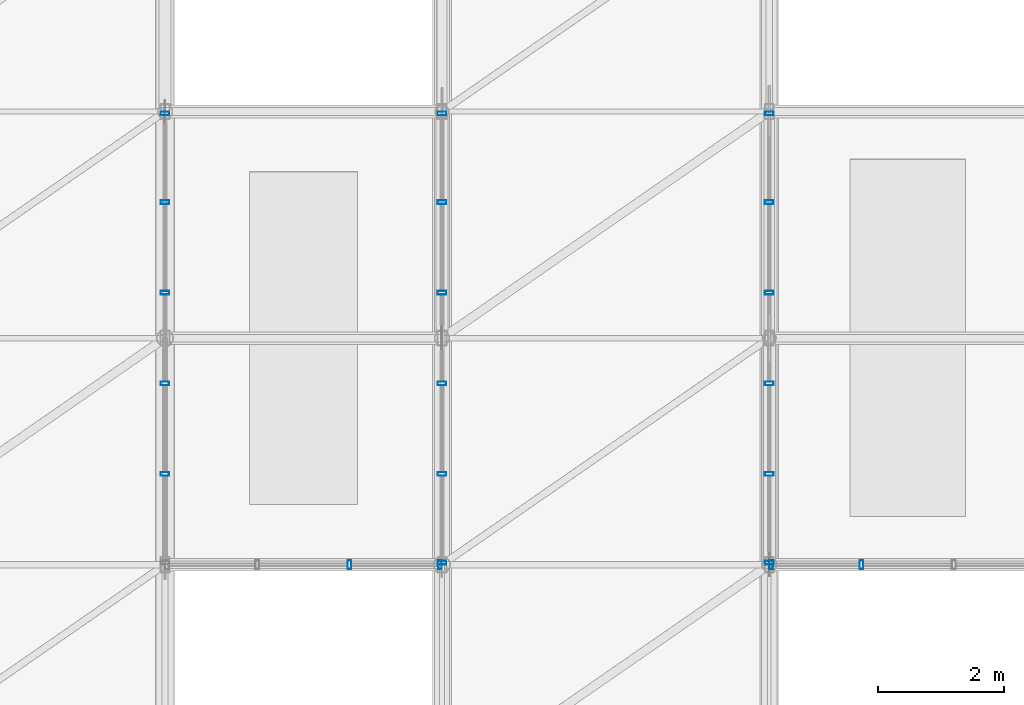
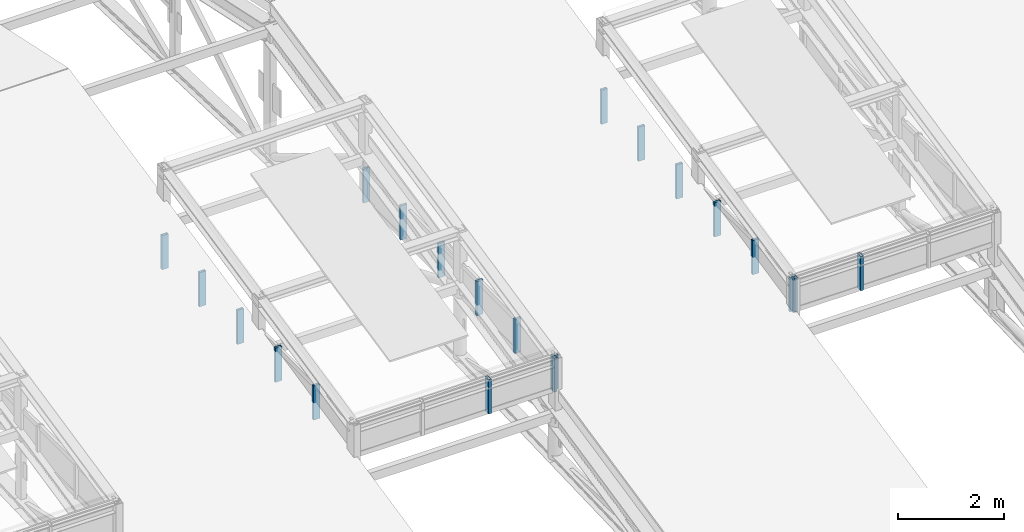
# One storey, part 72 of 124: 21 members, 5 elements without a shape of their own.
"""IFC4 building model written with IfcOpenShell, lengths in metres."""

import ifcopenshell
import ifcopenshell.guid

model = None  # the IFC model being written
_history = None  # IfcOwnerHistory: only IFC2X3 demands one
_inside = {}  # id of a spatial element -> (the spatial element, [elements in it])
_under = {}  # id of a project, library or spatial element -> (it, [spatial elements below it])
_declared = {}  # id of a project -> (the project, [libraries it declares])
_typed = {}  # id of a type object -> (the type object, [elements of that type])
_made_of = {}  # id of a material, layer set ... -> (it, [elements and type objects made of it])


def new_model(schema):
    """Start an empty IFC model of exactly this schema.

    Asked for "IFC4X3", IfcOpenShell would pick the latest addendum, in which some entities
    have other attributes; the version numbers below select the first issue.
    IFC2X3 requires an IfcOwnerHistory on every rooted entity: one is made here for all.
    """
    global model, _history
    if schema == "IFC4X3":
        model = ifcopenshell.file(schema_version=(4, 3, 0, 0))
    else:
        model = ifcopenshell.file(schema=schema)
    _inside.clear()
    _under.clear()
    _declared.clear()
    _typed.clear()
    _made_of.clear()
    _history = None
    if model.schema == "IFC2X3":
        org = make("IfcOrganization", Name="unknown")
        user = make(
            "IfcPersonAndOrganization",
            ThePerson=make("IfcPerson", FamilyName="unknown"),
            TheOrganization=org,
        )
        app = make(
            "IfcApplication",
            ApplicationDeveloper=org,
            Version="unknown",
            ApplicationFullName="unknown",
            ApplicationIdentifier="unknown",
        )
        _history = make(
            "IfcOwnerHistory",
            OwningUser=user,
            OwningApplication=app,
            ChangeAction="ADDED",
            CreationDate=0,
        )
    return model


def make(cls, **values):
    """One entity of the class cls with the attributes given. An attribute that is None is left unset."""
    return model.create_entity(
        cls, **{name: value for name, value in values.items() if value is not None}
    )


def rooted(cls, **values):
    """An entity with a GlobalId (a new one), such as an element, a storey or a relation."""
    return make(cls, GlobalId=ifcopenshell.guid.new(), OwnerHistory=_history, **values)


def si_unit(unit_type, name, prefix=None):
    """IfcSIUnit, for example si_unit("LENGTHUNIT", "METRE", prefix="MILLI")."""
    return make("IfcSIUnit", UnitType=unit_type, Prefix=prefix, Name=name)


def assignment(units):
    """IfcUnitAssignment: the units of a project."""
    return None if units is None else make("IfcUnitAssignment", Units=units)


def point(xyz):
    """IfcCartesianPoint."""
    return None if xyz is None else make("IfcCartesianPoint", Coordinates=xyz)


def direction(xyz):
    """IfcDirection."""
    return None if xyz is None else make("IfcDirection", DirectionRatios=xyz)


def frame(location, z_axis=None, x_axis=None):
    """IfcAxis2Placement3D, a coordinate frame: its origin and axes. An axis left out is left unset."""
    return make(
        "IfcAxis2Placement3D",
        Location=point(location),
        Axis=direction(z_axis),
        RefDirection=direction(x_axis),
    )


def frame_2d(location, x_axis=None):
    """IfcAxis2Placement2D, a coordinate frame in the plane: its origin and x axis."""
    return make(
        "IfcAxis2Placement2D", Location=point(location), RefDirection=direction(x_axis)
    )


def origin():
    """The frame at (0, 0, 0) with its axes left unset."""
    return frame((0.0, 0.0, 0.0))


def origin_2d():
    """The frame at (0, 0) in the plane with its x axis left unset."""
    return frame_2d((0.0, 0.0))


def place(relative_to, where):
    """IfcLocalPlacement: puts the frame where relative to a parent placement (None: the world)."""
    return make(
        "IfcLocalPlacement", PlacementRelTo=relative_to, RelativePlacement=where
    )


def context(
    kind, dimensions, precision=None, world=None, true_north=None, identifier=None
):
    """IfcGeometricRepresentationContext, for example the 3D "Model" context."""
    return make(
        "IfcGeometricRepresentationContext",
        ContextIdentifier=identifier,
        ContextType=kind,
        CoordinateSpaceDimension=dimensions,
        Precision=precision,
        WorldCoordinateSystem=world,
        TrueNorth=true_north,
    )


def subcontext(parent, identifier, kind, view, scale=None):
    """IfcGeometricRepresentationSubContext, for example "Body" below "Model"."""
    return make(
        "IfcGeometricRepresentationSubContext",
        ContextIdentifier=identifier,
        ContextType=kind,
        ParentContext=parent,
        TargetScale=scale,
        TargetView=view,
    )


def project(units=None, contexts=None):
    """IfcProject with its units and contexts."""
    return rooted(
        "IfcProject",
        Name="project",
        RepresentationContexts=contexts,
        UnitsInContext=assignment(units),
    )


def spatial(cls, under=None, at=None, **own):
    """A site, building, storey or space (cls), placed at a placement, below another one or the project."""
    s = rooted(cls, ObjectPlacement=at, **own)
    if under is not None:
        _under.setdefault(under.id(), (under, []))[1].append(s)
    return s


def profile(cls, at=None, kind="AREA", **sizes):
    """A parametric profile (cls). Its sizes go by their IFC names, for example OverallWidth=200.0."""
    return make(cls, ProfileType=kind, Position=at, **sizes)


def hollow_rectangle(**sizes):
    """IfcRectangleHollowProfileDef."""
    return profile("IfcRectangleHollowProfileDef", **sizes)


def extrude(swept, where, along, depth):
    """IfcExtrudedAreaSolid: the profile swept, set in the frame where, extruded along a direction by depth."""
    return make(
        "IfcExtrudedAreaSolid",
        SweptArea=swept,
        Position=where,
        ExtrudedDirection=direction(along),
        Depth=depth,
    )


def shape(context_of_items, identifier, shape_type, items):
    """IfcShapeRepresentation: the items that make up one representation, for example the "Body"."""
    return make(
        "IfcShapeRepresentation",
        ContextOfItems=context_of_items,
        RepresentationIdentifier=identifier,
        RepresentationType=shape_type,
        Items=items,
    )


def material(Name=None, Category=None):
    """IfcMaterial."""
    return make("IfcMaterial", Name=Name, Category=Category)


def layer(
    of_material, thickness, ventilated=None, Name=None, Category=None, Priority=None
):
    """IfcMaterialLayer: one layer of a wall or slab, of a material (None: an air gap)."""
    return make(
        "IfcMaterialLayer",
        Material=of_material,
        LayerThickness=thickness,
        IsVentilated=ventilated,
        Name=Name,
        Category=Category,
        Priority=Priority,
    )


def layer_set(layers, Name=None):
    """IfcMaterialLayerSet."""
    return make("IfcMaterialLayerSet", MaterialLayers=layers, LayerSetName=Name)


def material_profile(
    of_material, cross_section, Name=None, Category=None, Priority=None
):
    """IfcMaterialProfile: a cross section and its material."""
    return make(
        "IfcMaterialProfile",
        Name=Name,
        Material=of_material,
        Profile=cross_section,
        Priority=Priority,
        Category=Category,
    )


def profile_set(profiles, Name=None, composite=None):
    """IfcMaterialProfileSet."""
    return make(
        "IfcMaterialProfileSet",
        Name=Name,
        MaterialProfiles=profiles,
        CompositeProfile=composite,
    )


def made_of(thing, what):
    """Note that an element or type object is made of a material, layer set ...; save() writes the relation."""
    if what is not None:
        _made_of.setdefault(what.id(), (what, []))[1].append(thing)
    return thing


def type_object(cls, material=None, **own):
    """A type object (cls), such as IfcWallType, which elements share."""
    return made_of(rooted(cls, **own), material)


def element(
    cls,
    number,
    at=None,
    inside=None,
    cuts=None,
    type_object=None,
    material=None,
    context=None,
    identifier="Body",
    shape_type=None,
    held_by="IfcProductDefinitionShape",
    body=None,
    shapes=None,
    **own,
):
    """One element of the class cls, such as IfcWall. Its Tag is "e" and its number.

    at: its placement. inside: the storey or other place that contains it. cuts: it is an
    opening in that element (IfcRelVoidsElement). A single representation is given by context,
    identifier, shape_type and body (its items); several are given by shapes. held_by: the class
    of the entity that holds the representations. save() writes the other relations.
    """
    e = rooted(cls, Tag="e%d" % number, ObjectPlacement=at, **own)
    if body is not None:
        shapes = [shape(context, identifier, shape_type, body)]
    if shapes is not None:
        e.Representation = make(held_by, Representations=shapes)
    if inside is not None:
        _inside.setdefault(inside.id(), (inside, []))[1].append(e)
    if cuts is not None:
        rooted(
            "IfcRelVoidsElement", RelatingBuildingElement=cuts, RelatedOpeningElement=e
        )
    if type_object is not None:
        _typed.setdefault(type_object.id(), (type_object, []))[1].append(e)
    return made_of(e, material)


def aggregate(whole, parts):
    """IfcRelAggregates: a whole, such as a stair, and the parts it consists of."""
    return rooted("IfcRelAggregates", RelatingObject=whole, RelatedObjects=parts)


def save(model, path):
    """Write the relations noted so far, then the file.

    IfcRelAggregates (storeys below a building ...), IfcRelContainedInSpatialStructure (elements
    in a storey), IfcRelDefinesByType, IfcRelAssociatesMaterial and IfcRelDeclares: one each for
    every whole, place, type object, material and project.
    """
    for whole, parts in _under.values():
        aggregate(whole, parts)
    for where, things in _inside.values():
        rooted(
            "IfcRelContainedInSpatialStructure",
            RelatedElements=things,
            RelatingStructure=where,
        )
    for kind, things in _typed.values():
        rooted("IfcRelDefinesByType", RelatedObjects=things, RelatingType=kind)
    for what, things in _made_of.values():
        rooted("IfcRelAssociatesMaterial", RelatedObjects=things, RelatingMaterial=what)
    for by, libraries in _declared.values():
        rooted("IfcRelDeclares", RelatingContext=by, RelatedDefinitions=libraries)
    model.write(path)


model = new_model("IFC4")

# Units and contexts
model_context = context("Model", 3, precision=1e-05, world=origin(), true_north=direction((0.0, 1.0)))
body_context = subcontext(model_context, "Body", "Model", "MODEL_VIEW")
ifc_project = project(units=[si_unit("LENGTHUNIT", "METRE"), si_unit("AREAUNIT", "SQUARE_METRE"), si_unit("VOLUMEUNIT", "CUBIC_METRE"), si_unit("PLANEANGLEUNIT", "RADIAN"), si_unit("MASSUNIT", "GRAM", prefix="KILO"), si_unit("THERMODYNAMICTEMPERATUREUNIT", "KELVIN"), si_unit("POWERUNIT", "WATT")], contexts=[model_context])

# Site, building, storey
site_placement = place(None, origin())
site = spatial("IfcSite", under=ifc_project, at=site_placement, CompositionType="ELEMENT")
building_placement = place(site_placement, origin())
building = spatial("IfcBuilding", under=site, at=building_placement, Name="Tavuni Mirador Residences", CompositionType="ELEMENT")
storey_placement = place(building_placement, frame((0.0, 0.0, 7.64990234375)))
storey = spatial("IfcBuildingStorey", under=building, at=storey_placement, Name="L02", CompositionType="ELEMENT", Elevation=7.64990234375)

# Curtain wall, members
ifc_material = material(Name="Anodised aluminium", Category="aluminium")
ifc_layer = layer(ifc_material, 0.199951171875, Name="Anodised aluminium", Category="aluminium")
ifc_layer_set = layer_set([ifc_layer], Name="Anodised aluminium")
curtain_wall_type = type_object("IfcCurtainWallType", Name="CWT-HAL-01", PredefinedType="NOTDEFINED", material=ifc_layer_set)
curtain_wall_1_placement = place(storey_placement, origin())
curtain_wall_1 = element("IfcCurtainWall", 1, at=curtain_wall_1_placement, inside=storey, type_object=curtain_wall_type, Name="CW-HALL-MON-S2-W", PredefinedType="NOTDEFINED")
ifc_material_profile = material_profile(ifc_material, hollow_rectangle(XDim=0.06005859375, YDim=0.139892578125, WallThickness=0.00390625, at=origin_2d()), Name="ALU 60x140x4.0", Category="aluminium")
ifc_profile_set = profile_set([ifc_material_profile], Name="Anodised aluminium")
member_type = type_object("IfcMemberType", Name="CWM-140", PredefinedType="MULLION", material=ifc_profile_set)
member_1_placement = place(storey_placement, frame((54.39990234375, 77.0400390625, 1.175048828125), z_axis=(0.0, 0.0, 1.0), x_axis=(0.0, 1.0, 0.0)))
member_1 = element("IfcMember", 2, at=member_1_placement, type_object=member_type, Name="CW-06 mullion 2", PredefinedType="MULLION", context=body_context, shape_type="SweptSolid", body=[
    extrude(hollow_rectangle(XDim=0.06005859375, YDim=0.139892578125, WallThickness=0.00390625, at=origin_2d()), origin(), (0.0, 0.0, 1.0), 0.7900390625),
])
member_2_placement = place(storey_placement, frame((54.39990234375, 78.47998046875, 1.175048828125), z_axis=(0.0, 0.0, 1.0), x_axis=(0.0, 1.0, 0.0)))
member_2 = element("IfcMember", 3, at=member_2_placement, type_object=member_type, Name="CW-06 mullion 3", PredefinedType="MULLION", context=body_context, shape_type="SweptSolid", body=[
    extrude(hollow_rectangle(XDim=0.06005859375, YDim=0.139892578125, WallThickness=0.00390625, at=origin_2d()), origin(), (0.0, 0.0, 1.0), 0.7900390625),
])
member_3_placement = place(storey_placement, frame((54.39990234375, 79.919921875, 1.175048828125), z_axis=(0.0, 0.0, 1.0), x_axis=(0.0, 1.0, 0.0)))
member_3 = element("IfcMember", 4, at=member_3_placement, type_object=member_type, Name="CW-06 mullion 4", PredefinedType="MULLION", context=body_context, shape_type="SweptSolid", body=[
    extrude(hollow_rectangle(XDim=0.06005859375, YDim=0.139892578125, WallThickness=0.00390625, at=origin_2d()), origin(), (0.0, 0.0, 1.0), 0.7900390625),
])
member_4_placement = place(storey_placement, frame((54.39990234375, 81.360107421875, 1.175048828125), z_axis=(0.0, 0.0, 1.0), x_axis=(0.0, 1.0, 0.0)))
member_4 = element("IfcMember", 5, at=member_4_placement, type_object=member_type, Name="CW-06 mullion 5", PredefinedType="MULLION", context=body_context, shape_type="SweptSolid", body=[
    extrude(hollow_rectangle(XDim=0.06005859375, YDim=0.139892578125, WallThickness=0.00390625, at=origin_2d()), origin(), (0.0, 0.0, 1.0), 0.7900390625),
])
member_5_placement = place(storey_placement, frame((54.39990234375, 82.77001953125, 1.175048828125), z_axis=(0.0, 0.0, 1.0), x_axis=(0.0, 1.0, 0.0)))
member_5 = element("IfcMember", 6, at=member_5_placement, type_object=member_type, Name="CW-06 mullion 6", PredefinedType="MULLION", context=body_context, shape_type="SweptSolid", body=[
    extrude(hollow_rectangle(XDim=0.06005859375, YDim=0.139892578125, WallThickness=0.00390625, at=origin_2d()), origin(), (0.0, 0.0, 1.0), 0.7900390625),
])
aggregate(curtain_wall_1, [member_1, member_2, member_3, member_4, member_5])

curtain_wall_2_placement = place(storey_placement, origin())
curtain_wall_2 = element("IfcCurtainWall", 7, at=curtain_wall_2_placement, inside=storey, type_object=curtain_wall_type, Name="CW-HALL-MON-S2-E", PredefinedType="NOTDEFINED")
member_6_placement = place(storey_placement, frame((58.800048828125, 75.6298828125, 1.175048828125), z_axis=(0.0, 0.0, 1.0), x_axis=(0.0, 1.0, 0.0)))
member_6 = element("IfcMember", 8, at=member_6_placement, type_object=member_type, Name="CW-06 mullion 1", PredefinedType="MULLION", context=body_context, shape_type="SweptSolid", body=[
    extrude(hollow_rectangle(XDim=0.06005859375, YDim=0.139892578125, WallThickness=0.00390625, at=origin_2d()), origin(), (0.0, 0.0, 1.0), 0.7900390625),
])
member_7_placement = place(storey_placement, frame((58.800048828125, 77.0400390625, 1.175048828125), z_axis=(0.0, 0.0, 1.0), x_axis=(0.0, 1.0, 0.0)))
member_7 = element("IfcMember", 9, at=member_7_placement, type_object=member_type, Name="CW-06 mullion 2", PredefinedType="MULLION", context=body_context, shape_type="SweptSolid", body=[
    extrude(hollow_rectangle(XDim=0.06005859375, YDim=0.139892578125, WallThickness=0.00390625, at=origin_2d()), origin(), (0.0, 0.0, 1.0), 0.7900390625),
])
member_8_placement = place(storey_placement, frame((58.800048828125, 78.47998046875, 1.175048828125), z_axis=(0.0, 0.0, 1.0), x_axis=(0.0, 1.0, 0.0)))
member_8 = element("IfcMember", 10, at=member_8_placement, type_object=member_type, Name="CW-06 mullion 3", PredefinedType="MULLION", context=body_context, shape_type="SweptSolid", body=[
    extrude(hollow_rectangle(XDim=0.06005859375, YDim=0.139892578125, WallThickness=0.00390625, at=origin_2d()), origin(), (0.0, 0.0, 1.0), 0.7900390625),
])
member_9_placement = place(storey_placement, frame((58.800048828125, 79.919921875, 1.175048828125), z_axis=(0.0, 0.0, 1.0), x_axis=(0.0, 1.0, 0.0)))
member_9 = element("IfcMember", 11, at=member_9_placement, type_object=member_type, Name="CW-06 mullion 4", PredefinedType="MULLION", context=body_context, shape_type="SweptSolid", body=[
    extrude(hollow_rectangle(XDim=0.06005859375, YDim=0.139892578125, WallThickness=0.00390625, at=origin_2d()), origin(), (0.0, 0.0, 1.0), 0.7900390625),
])
member_10_placement = place(storey_placement, frame((58.800048828125, 81.360107421875, 1.175048828125), z_axis=(0.0, 0.0, 1.0), x_axis=(0.0, 1.0, 0.0)))
member_10 = element("IfcMember", 12, at=member_10_placement, type_object=member_type, Name="CW-06 mullion 5", PredefinedType="MULLION", context=body_context, shape_type="SweptSolid", body=[
    extrude(hollow_rectangle(XDim=0.06005859375, YDim=0.139892578125, WallThickness=0.00390625, at=origin_2d()), origin(), (0.0, 0.0, 1.0), 0.7900390625),
])
member_11_placement = place(storey_placement, frame((58.800048828125, 82.77001953125, 1.175048828125), z_axis=(0.0, 0.0, 1.0), x_axis=(0.0, 1.0, 0.0)))
member_11 = element("IfcMember", 13, at=member_11_placement, type_object=member_type, Name="CW-06 mullion 6", PredefinedType="MULLION", context=body_context, shape_type="SweptSolid", body=[
    extrude(hollow_rectangle(XDim=0.06005859375, YDim=0.139892578125, WallThickness=0.00390625, at=origin_2d()), origin(), (0.0, 0.0, 1.0), 0.7900390625),
])
aggregate(curtain_wall_2, [member_6, member_7, member_8, member_9, member_10, member_11])

curtain_wall_3_placement = place(storey_placement, origin())
curtain_wall_3 = element("IfcCurtainWall", 14, at=curtain_wall_3_placement, inside=storey, type_object=curtain_wall_type, Name="CW-HALL-MON-S2-END", PredefinedType="NOTDEFINED")
member_12_placement = place(storey_placement, frame((57.333251953125, 75.60009765625, 1.175048828125), z_axis=(0.0, 0.0, 1.0), x_axis=(1.0, 0.0, 0.0)))
member_12 = element("IfcMember", 15, at=member_12_placement, type_object=member_type, Name="CW-06 mullion 3", PredefinedType="MULLION", context=body_context, shape_type="SweptSolid", body=[
    extrude(hollow_rectangle(XDim=0.06005859375, YDim=0.139892578125, WallThickness=0.00390625, at=origin_2d()), origin(), (0.0, 0.0, 1.0), 0.7900390625),
])
member_13_placement = place(storey_placement, frame((58.77001953125, 75.60009765625, 1.175048828125), z_axis=(0.0, 0.0, 1.0), x_axis=(1.0, 0.0, 0.0)))
member_13 = element("IfcMember", 16, at=member_13_placement, type_object=member_type, Name="CW-06 mullion 4", PredefinedType="MULLION", context=body_context, shape_type="SweptSolid", body=[
    extrude(hollow_rectangle(XDim=0.06005859375, YDim=0.139892578125, WallThickness=0.00390625, at=origin_2d()), origin(), (0.0, 0.0, 1.0), 0.7900390625),
])
aggregate(curtain_wall_3, [member_12, member_13])

curtain_wall_4_placement = place(storey_placement, origin())
curtain_wall_4 = element("IfcCurtainWall", 17, at=curtain_wall_4_placement, inside=storey, type_object=curtain_wall_type, Name="CW-HALL-MON-S3-W", PredefinedType="NOTDEFINED")
member_14_placement = place(storey_placement, frame((64.0, 75.6298828125, 1.175048828125), z_axis=(0.0, 0.0, 1.0), x_axis=(0.0, 1.0, 0.0)))
member_14 = element("IfcMember", 18, at=member_14_placement, type_object=member_type, Name="CW-06 mullion 1", PredefinedType="MULLION", context=body_context, shape_type="SweptSolid", body=[
    extrude(hollow_rectangle(XDim=0.06005859375, YDim=0.139892578125, WallThickness=0.00390625, at=origin_2d()), origin(), (0.0, 0.0, 1.0), 0.7900390625),
])
member_15_placement = place(storey_placement, frame((64.0, 77.0400390625, 1.175048828125), z_axis=(0.0, 0.0, 1.0), x_axis=(0.0, 1.0, 0.0)))
member_15 = element("IfcMember", 19, at=member_15_placement, type_object=member_type, Name="CW-06 mullion 2", PredefinedType="MULLION", context=body_context, shape_type="SweptSolid", body=[
    extrude(hollow_rectangle(XDim=0.06005859375, YDim=0.139892578125, WallThickness=0.00390625, at=origin_2d()), origin(), (0.0, 0.0, 1.0), 0.7900390625),
])
member_16_placement = place(storey_placement, frame((64.0, 78.47998046875, 1.175048828125), z_axis=(0.0, 0.0, 1.0), x_axis=(0.0, 1.0, 0.0)))
member_16 = element("IfcMember", 20, at=member_16_placement, type_object=member_type, Name="CW-06 mullion 3", PredefinedType="MULLION", context=body_context, shape_type="SweptSolid", body=[
    extrude(hollow_rectangle(XDim=0.06005859375, YDim=0.139892578125, WallThickness=0.00390625, at=origin_2d()), origin(), (0.0, 0.0, 1.0), 0.7900390625),
])
member_17_placement = place(storey_placement, frame((64.0, 79.919921875, 1.175048828125), z_axis=(0.0, 0.0, 1.0), x_axis=(0.0, 1.0, 0.0)))
member_17 = element("IfcMember", 21, at=member_17_placement, type_object=member_type, Name="CW-06 mullion 4", PredefinedType="MULLION", context=body_context, shape_type="SweptSolid", body=[
    extrude(hollow_rectangle(XDim=0.06005859375, YDim=0.139892578125, WallThickness=0.00390625, at=origin_2d()), origin(), (0.0, 0.0, 1.0), 0.7900390625),
])
member_18_placement = place(storey_placement, frame((64.0, 81.360107421875, 1.175048828125), z_axis=(0.0, 0.0, 1.0), x_axis=(0.0, 1.0, 0.0)))
member_18 = element("IfcMember", 22, at=member_18_placement, type_object=member_type, Name="CW-06 mullion 5", PredefinedType="MULLION", context=body_context, shape_type="SweptSolid", body=[
    extrude(hollow_rectangle(XDim=0.06005859375, YDim=0.139892578125, WallThickness=0.00390625, at=origin_2d()), origin(), (0.0, 0.0, 1.0), 0.7900390625),
])
member_19_placement = place(storey_placement, frame((64.0, 82.77001953125, 1.175048828125), z_axis=(0.0, 0.0, 1.0), x_axis=(0.0, 1.0, 0.0)))
member_19 = element("IfcMember", 23, at=member_19_placement, type_object=member_type, Name="CW-06 mullion 6", PredefinedType="MULLION", context=body_context, shape_type="SweptSolid", body=[
    extrude(hollow_rectangle(XDim=0.06005859375, YDim=0.139892578125, WallThickness=0.00390625, at=origin_2d()), origin(), (0.0, 0.0, 1.0), 0.7900390625),
])
aggregate(curtain_wall_4, [member_14, member_15, member_16, member_17, member_18, member_19])

curtain_wall_5_placement = place(storey_placement, origin())
curtain_wall_5 = element("IfcCurtainWall", 24, at=curtain_wall_5_placement, inside=storey, type_object=curtain_wall_type, Name="CW-HALL-MON-S3-END", PredefinedType="NOTDEFINED")
member_20_placement = place(storey_placement, frame((64.030029296875, 75.60009765625, 1.175048828125), z_axis=(0.0, 0.0, 1.0), x_axis=(1.0, 0.0, 0.0)))
member_20 = element("IfcMember", 25, at=member_20_placement, type_object=member_type, Name="CW-06 mullion 1", PredefinedType="MULLION", context=body_context, shape_type="SweptSolid", body=[
    extrude(hollow_rectangle(XDim=0.06005859375, YDim=0.139892578125, WallThickness=0.00390625, at=origin_2d()), origin(), (0.0, 0.0, 1.0), 0.7900390625),
])
member_21_placement = place(storey_placement, frame((65.466552734375, 75.60009765625, 1.175048828125), z_axis=(0.0, 0.0, 1.0), x_axis=(1.0, 0.0, 0.0)))
member_21 = element("IfcMember", 26, at=member_21_placement, type_object=member_type, Name="CW-06 mullion 2", PredefinedType="MULLION", context=body_context, shape_type="SweptSolid", body=[
    extrude(hollow_rectangle(XDim=0.06005859375, YDim=0.139892578125, WallThickness=0.00390625, at=origin_2d()), origin(), (0.0, 0.0, 1.0), 0.7900390625),
])
aggregate(curtain_wall_5, [member_20, member_21])

save(model, "model.ifc")
